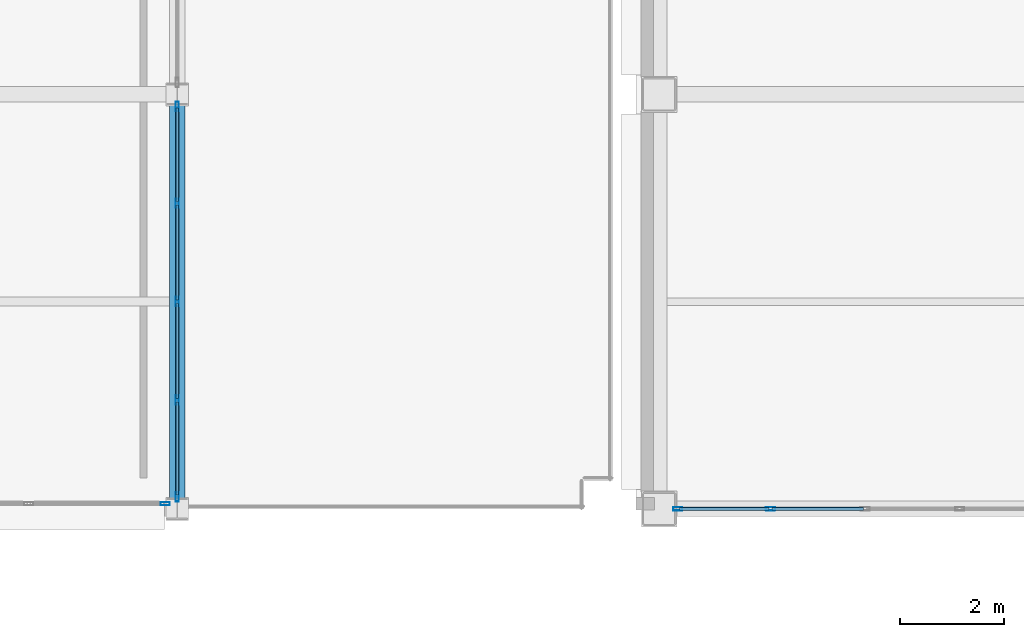
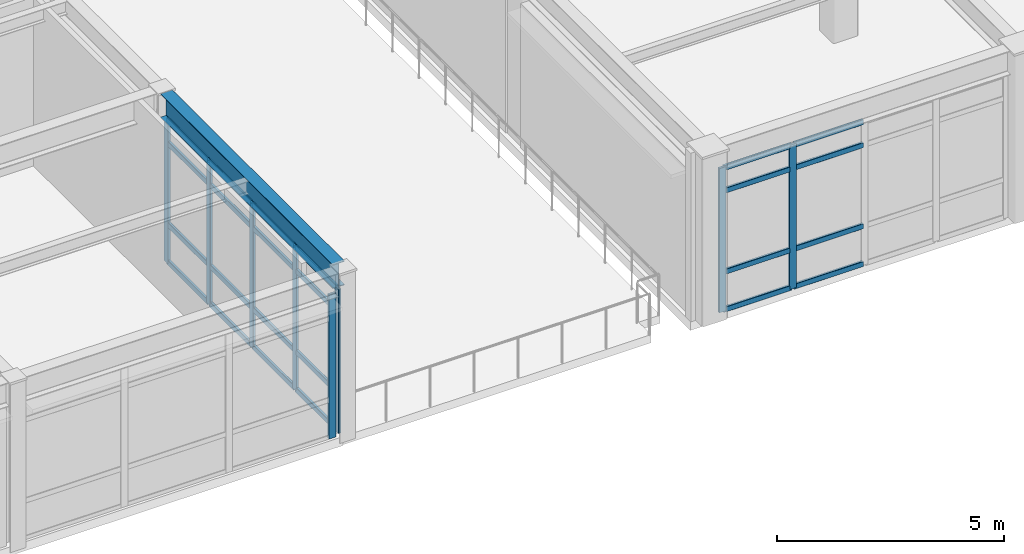
# One storey, part 25 of 93: 32 members, 1 beam, 3 elements without a shape of their own.
"""IFC4 building model written with IfcOpenShell, lengths in metres."""

from ifc_helpers import new_model, si_unit, direction, frame, origin, origin_2d, place, context, subcontext, project, spatial, hollow_rectangle, i_section, extrude, material, layer, layer_set, material_profile, profile_set, type_object, element, aggregate, save


model = new_model("IFC4")

# Units and contexts
model_context = context("Model", 3, precision=1e-05, world=origin(), true_north=direction((0.0, 1.0)))
body_context = subcontext(model_context, "Body", "Model", "MODEL_VIEW")
ifc_project = project(units=[si_unit("LENGTHUNIT", "METRE"), si_unit("AREAUNIT", "SQUARE_METRE"), si_unit("VOLUMEUNIT", "CUBIC_METRE"), si_unit("PLANEANGLEUNIT", "RADIAN"), si_unit("MASSUNIT", "GRAM", prefix="KILO")], contexts=[model_context])

# Site, building, storey
site_placement = place(None, origin())
site = spatial("IfcSite", under=ifc_project, at=site_placement, CompositionType="ELEMENT")
building_placement = place(site_placement, origin())
building = spatial("IfcBuilding", under=site, at=building_placement, Name="Kazehara Bluff Congress Hotel", CompositionType="ELEMENT")
storey_placement = place(building_placement, frame((0.0, 0.0, 15.0)))
storey = spatial("IfcBuildingStorey", under=building, at=storey_placement, Name="L03", CompositionType="ELEMENT", Elevation=15.0)

# Curtain wall, members
ifc_material_1 = material(Name="Anodised aluminium", Category="aluminium")
ifc_layer_1 = layer(ifc_material_1, 0.159912109375)
ifc_layer_set_1 = layer_set([ifc_layer_1], Name="Anodised aluminium")
curtain_wall_type_1 = type_object("IfcCurtainWallType", Name="TP-CW-10", PredefinedType="NOTDEFINED", material=ifc_layer_set_1)
curtain_wall_1_placement = place(storey_placement, origin())
curtain_wall_1 = element("IfcCurtainWall", 1, at=curtain_wall_1_placement, inside=storey, type_object=curtain_wall_type_1, Name="L03 curtain wall CW-10 CW-V4-L03-X10125-1620", PredefinedType="NOTDEFINED")
ifc_material_2 = material(Name="Anodised aluminium", Category="aluminium")
ifc_material_profile_1 = material_profile(ifc_material_2, hollow_rectangle(XDim=0.06494140625, YDim=0.179931640625, WallThickness=0.00390625, InnerFilletRadius=0.00390625, OuterFilletRadius=0.008056640625, at=origin_2d()))
ifc_profile_set_1 = profile_set([ifc_material_profile_1], Name="Anodised aluminium")
member_type_1 = type_object("IfcMemberType", Name="TP-CWM-02", PredefinedType="MULLION", material=ifc_profile_set_1)
member_1_placement = place(storey_placement, frame((101.25, 16.232421875, 0.0), z_axis=(0.0, 0.0, 1.0), x_axis=(-1.0, 0.0, 0.0)))
member_1 = element("IfcMember", 2, at=member_1_placement, type_object=member_type_1, Name="CW-10 mullion 1", PredefinedType="MULLION", context=body_context, shape_type="SweptSolid", body=[
    extrude(hollow_rectangle(XDim=0.06494140625, YDim=0.179931640625, WallThickness=0.00390625, InnerFilletRadius=0.00390625, OuterFilletRadius=0.008056640625, at=origin_2d()), origin(), (0.0, 0.0, 1.0), 3.885009765625),
])
member_2_placement = place(storey_placement, frame((101.25, 18.10009765625, 0.0), z_axis=(0.0, 0.0, 1.0), x_axis=(-1.0, 0.0, 0.0)))
member_2 = element("IfcMember", 3, at=member_2_placement, type_object=member_type_1, Name="CW-10 mullion 2", PredefinedType="MULLION", context=body_context, shape_type="SweptSolid", body=[
    extrude(hollow_rectangle(XDim=0.06494140625, YDim=0.179931640625, WallThickness=0.00390625, InnerFilletRadius=0.00390625, OuterFilletRadius=0.008056640625, at=origin_2d()), origin(), (0.0, 0.0, 1.0), 3.885009765625),
])
member_3_placement = place(storey_placement, frame((101.25, 20.0, 0.0), z_axis=(0.0, 0.0, 1.0), x_axis=(-1.0, 0.0, 0.0)))
member_3 = element("IfcMember", 4, at=member_3_placement, type_object=member_type_1, Name="CW-10 mullion 3", PredefinedType="MULLION", context=body_context, shape_type="SweptSolid", body=[
    extrude(hollow_rectangle(XDim=0.06494140625, YDim=0.179931640625, WallThickness=0.00390625, InnerFilletRadius=0.00390625, OuterFilletRadius=0.008056640625, at=origin_2d()), origin(), (0.0, 0.0, 1.0), 3.885009765625),
])
member_4_placement = place(storey_placement, frame((101.25, 21.89990234375, 0.0), z_axis=(0.0, 0.0, 1.0), x_axis=(-1.0, 0.0, 0.0)))
member_4 = element("IfcMember", 5, at=member_4_placement, type_object=member_type_1, Name="CW-10 mullion 4", PredefinedType="MULLION", context=body_context, shape_type="SweptSolid", body=[
    extrude(hollow_rectangle(XDim=0.06494140625, YDim=0.179931640625, WallThickness=0.00390625, InnerFilletRadius=0.00390625, OuterFilletRadius=0.008056640625, at=origin_2d()), origin(), (0.0, 0.0, 1.0), 3.885009765625),
])
member_5_placement = place(storey_placement, frame((101.25, 23.767578125, 0.0), z_axis=(0.0, 0.0, 1.0), x_axis=(-1.0, 0.0, 0.0)))
member_5 = element("IfcMember", 6, at=member_5_placement, type_object=member_type_1, Name="CW-10 mullion 5", PredefinedType="MULLION", context=body_context, shape_type="SweptSolid", body=[
    extrude(hollow_rectangle(XDim=0.06494140625, YDim=0.179931640625, WallThickness=0.00390625, InnerFilletRadius=0.00390625, OuterFilletRadius=0.008056640625, at=origin_2d()), origin(), (0.0, 0.0, 1.0), 3.885009765625),
])

ifc_material_3 = material(Name="Anodised aluminium", Category="aluminium")
ifc_layer_2 = layer(ifc_material_3, 0.159912109375)
ifc_layer_set_2 = layer_set([ifc_layer_2], Name="Anodised aluminium")
curtain_wall_type_2 = type_object("IfcCurtainWallType", Name="TP-CW-80", PredefinedType="NOTDEFINED", material=ifc_layer_set_2)
curtain_wall_2_placement = place(storey_placement, origin())
curtain_wall_2 = element("IfcCurtainWall", 7, at=curtain_wall_2_placement, inside=storey, type_object=curtain_wall_type_2, Name="L03 curtain wall CW-80 CW-V5-L03-Y1600-11088", PredefinedType="NOTDEFINED")
member_6_placement = place(storey_placement, frame((110.907470703125, 16.0, 0.0), z_axis=(0.0, 0.0, 1.0), x_axis=(0.0, 1.0, 0.0)))
member_6 = element("IfcMember", 8, at=member_6_placement, type_object=member_type_1, Name="CW-80 mullion 1", PredefinedType="MULLION", context=body_context, shape_type="SweptSolid", body=[
    extrude(hollow_rectangle(XDim=0.06494140625, YDim=0.179931640625, WallThickness=0.00390625, InnerFilletRadius=0.00390625, OuterFilletRadius=0.008056640625, at=origin_2d()), origin(), (0.0, 0.0, 1.0), 3.885009765625),
])
member_7_placement = place(storey_placement, frame((112.699951171875, 16.0, 0.0), z_axis=(0.0, 0.0, 1.0), x_axis=(0.0, 1.0, 0.0)))
member_7 = element("IfcMember", 9, at=member_7_placement, type_object=member_type_1, Name="CW-80 mullion 2", PredefinedType="MULLION", context=body_context, shape_type="SweptSolid", body=[
    extrude(hollow_rectangle(XDim=0.06494140625, YDim=0.179931640625, WallThickness=0.00390625, InnerFilletRadius=0.00390625, OuterFilletRadius=0.008056640625, at=origin_2d()), origin(), (0.0, 0.0, 1.0), 3.885009765625),
])

# Curtain wall, member
ifc_material_4 = material(Name="Anodised aluminium", Category="aluminium")
ifc_layer_3 = layer(ifc_material_4, 0.159912109375)
ifc_layer_set_3 = layer_set([ifc_layer_3], Name="Anodised aluminium")
curtain_wall_type_3 = type_object("IfcCurtainWallType", Name="TP-CW-143", PredefinedType="NOTDEFINED", material=ifc_layer_set_3)
curtain_wall_3_placement = place(storey_placement, origin())
curtain_wall_3 = element("IfcCurtainWall", 10, at=curtain_wall_3_placement, inside=storey, type_object=curtain_wall_type_3, Name="L03 curtain wall CW-143 CW-ENC-V4-L03-9705-1610", PredefinedType="NOTDEFINED")
member_8_placement = place(storey_placement, frame((101.017578125, 16.10009765625, 0.0), z_axis=(0.0, 0.0, 1.0), x_axis=(0.0, -1.0, 0.0)))
member_8 = element("IfcMember", 11, at=member_8_placement, type_object=member_type_1, Name="CW-143 mullion 1", PredefinedType="MULLION", context=body_context, shape_type="SweptSolid", body=[
    extrude(hollow_rectangle(XDim=0.06494140625, YDim=0.179931640625, WallThickness=0.00390625, InnerFilletRadius=0.00390625, OuterFilletRadius=0.008056640625, at=origin_2d()), origin(), (0.0, 0.0, 1.0), 3.885009765625),
])
aggregate(curtain_wall_3, [member_8])

# Member
ifc_material_5 = material(Name="Anodised aluminium", Category="aluminium")
ifc_material_profile_2 = material_profile(ifc_material_5, hollow_rectangle(XDim=0.06494140625, YDim=0.139892578125, WallThickness=0.00390625, InnerFilletRadius=0.00390625, OuterFilletRadius=0.008056640625, at=origin_2d()))
ifc_profile_set_2 = profile_set([ifc_material_profile_2], Name="Anodised aluminium")
member_type_2 = type_object("IfcMemberType", Name="TP-CWT-02", PredefinedType="USERDEFINED", material=ifc_profile_set_2)
member_9_placement = place(storey_placement, frame((101.25, 16.264892578125, 0.032470703125), z_axis=(0.0, 1.0, 0.0), x_axis=(-1.0, 0.0, 0.0)))
member_9 = element("IfcMember", 12, at=member_9_placement, type_object=member_type_2, Name="CW-10 transom 1.1", ObjectType="TRANSOM", PredefinedType="USERDEFINED", context=body_context, shape_type="SweptSolid", body=[
    extrude(hollow_rectangle(XDim=0.06494140625, YDim=0.139892578125, WallThickness=0.00390625, InnerFilletRadius=0.00390625, OuterFilletRadius=0.008056640625, at=origin_2d()), origin(), (0.0, 0.0, 1.0), 1.802490234375),
])

member_10_placement = place(storey_placement, frame((101.25, 16.264892578125, 1.050048828125), z_axis=(0.0, 1.0, 0.0), x_axis=(-1.0, 0.0, 0.0)))
member_10 = element("IfcMember", 13, at=member_10_placement, type_object=member_type_2, Name="CW-10 transom 1.2", ObjectType="TRANSOM", PredefinedType="USERDEFINED", context=body_context, shape_type="SweptSolid", body=[
    extrude(hollow_rectangle(XDim=0.06494140625, YDim=0.139892578125, WallThickness=0.00390625, InnerFilletRadius=0.00390625, OuterFilletRadius=0.008056640625, at=origin_2d()), origin(), (0.0, 0.0, 1.0), 1.802490234375),
])

member_11_placement = place(storey_placement, frame((101.25, 16.264892578125, 3.235107421875), z_axis=(0.0, 1.0, 0.0), x_axis=(-1.0, 0.0, 0.0)))
member_11 = element("IfcMember", 14, at=member_11_placement, type_object=member_type_2, Name="CW-10 transom 1.3", ObjectType="TRANSOM", PredefinedType="USERDEFINED", context=body_context, shape_type="SweptSolid", body=[
    extrude(hollow_rectangle(XDim=0.06494140625, YDim=0.139892578125, WallThickness=0.00390625, InnerFilletRadius=0.00390625, OuterFilletRadius=0.008056640625, at=origin_2d()), origin(), (0.0, 0.0, 1.0), 1.802490234375),
])

member_12_placement = place(storey_placement, frame((101.25, 16.264892578125, 3.8525390625), z_axis=(0.0, 1.0, 0.0), x_axis=(-1.0, 0.0, 0.0)))
member_12 = element("IfcMember", 15, at=member_12_placement, type_object=member_type_2, Name="CW-10 transom 1.4", ObjectType="TRANSOM", PredefinedType="USERDEFINED", context=body_context, shape_type="SweptSolid", body=[
    extrude(hollow_rectangle(XDim=0.06494140625, YDim=0.139892578125, WallThickness=0.00390625, InnerFilletRadius=0.00390625, OuterFilletRadius=0.008056640625, at=origin_2d()), origin(), (0.0, 0.0, 1.0), 1.802490234375),
])

member_13_placement = place(storey_placement, frame((101.25, 18.132568359375, 0.032470703125), z_axis=(0.0, 1.0, 0.0), x_axis=(-1.0, 0.0, 0.0)))
member_13 = element("IfcMember", 16, at=member_13_placement, type_object=member_type_2, Name="CW-10 transom 2.1", ObjectType="TRANSOM", PredefinedType="USERDEFINED", context=body_context, shape_type="SweptSolid", body=[
    extrude(hollow_rectangle(XDim=0.06494140625, YDim=0.139892578125, WallThickness=0.00390625, InnerFilletRadius=0.00390625, OuterFilletRadius=0.008056640625, at=origin_2d()), origin(), (0.0, 0.0, 1.0), 1.8349609375),
])

member_14_placement = place(storey_placement, frame((101.25, 18.132568359375, 1.050048828125), z_axis=(0.0, 1.0, 0.0), x_axis=(-1.0, 0.0, 0.0)))
member_14 = element("IfcMember", 17, at=member_14_placement, type_object=member_type_2, Name="CW-10 transom 2.2", ObjectType="TRANSOM", PredefinedType="USERDEFINED", context=body_context, shape_type="SweptSolid", body=[
    extrude(hollow_rectangle(XDim=0.06494140625, YDim=0.139892578125, WallThickness=0.00390625, InnerFilletRadius=0.00390625, OuterFilletRadius=0.008056640625, at=origin_2d()), origin(), (0.0, 0.0, 1.0), 1.8349609375),
])

member_15_placement = place(storey_placement, frame((101.25, 18.132568359375, 3.235107421875), z_axis=(0.0, 1.0, 0.0), x_axis=(-1.0, 0.0, 0.0)))
member_15 = element("IfcMember", 18, at=member_15_placement, type_object=member_type_2, Name="CW-10 transom 2.3", ObjectType="TRANSOM", PredefinedType="USERDEFINED", context=body_context, shape_type="SweptSolid", body=[
    extrude(hollow_rectangle(XDim=0.06494140625, YDim=0.139892578125, WallThickness=0.00390625, InnerFilletRadius=0.00390625, OuterFilletRadius=0.008056640625, at=origin_2d()), origin(), (0.0, 0.0, 1.0), 1.8349609375),
])

member_16_placement = place(storey_placement, frame((101.25, 18.132568359375, 3.8525390625), z_axis=(0.0, 1.0, 0.0), x_axis=(-1.0, 0.0, 0.0)))
member_16 = element("IfcMember", 19, at=member_16_placement, type_object=member_type_2, Name="CW-10 transom 2.4", ObjectType="TRANSOM", PredefinedType="USERDEFINED", context=body_context, shape_type="SweptSolid", body=[
    extrude(hollow_rectangle(XDim=0.06494140625, YDim=0.139892578125, WallThickness=0.00390625, InnerFilletRadius=0.00390625, OuterFilletRadius=0.008056640625, at=origin_2d()), origin(), (0.0, 0.0, 1.0), 1.8349609375),
])

member_17_placement = place(storey_placement, frame((101.25, 20.032470703125, 0.032470703125), z_axis=(0.0, 1.0, 0.0), x_axis=(-1.0, 0.0, 0.0)))
member_17 = element("IfcMember", 20, at=member_17_placement, type_object=member_type_2, Name="CW-10 transom 3.1", ObjectType="TRANSOM", PredefinedType="USERDEFINED", context=body_context, shape_type="SweptSolid", body=[
    extrude(hollow_rectangle(XDim=0.06494140625, YDim=0.139892578125, WallThickness=0.00390625, InnerFilletRadius=0.00390625, OuterFilletRadius=0.008056640625, at=origin_2d()), origin(), (0.0, 0.0, 1.0), 1.8349609375),
])

member_18_placement = place(storey_placement, frame((101.25, 20.032470703125, 1.050048828125), z_axis=(0.0, 1.0, 0.0), x_axis=(-1.0, 0.0, 0.0)))
member_18 = element("IfcMember", 21, at=member_18_placement, type_object=member_type_2, Name="CW-10 transom 3.2", ObjectType="TRANSOM", PredefinedType="USERDEFINED", context=body_context, shape_type="SweptSolid", body=[
    extrude(hollow_rectangle(XDim=0.06494140625, YDim=0.139892578125, WallThickness=0.00390625, InnerFilletRadius=0.00390625, OuterFilletRadius=0.008056640625, at=origin_2d()), origin(), (0.0, 0.0, 1.0), 1.8349609375),
])

member_19_placement = place(storey_placement, frame((101.25, 20.032470703125, 3.235107421875), z_axis=(0.0, 1.0, 0.0), x_axis=(-1.0, 0.0, 0.0)))
member_19 = element("IfcMember", 22, at=member_19_placement, type_object=member_type_2, Name="CW-10 transom 3.3", ObjectType="TRANSOM", PredefinedType="USERDEFINED", context=body_context, shape_type="SweptSolid", body=[
    extrude(hollow_rectangle(XDim=0.06494140625, YDim=0.139892578125, WallThickness=0.00390625, InnerFilletRadius=0.00390625, OuterFilletRadius=0.008056640625, at=origin_2d()), origin(), (0.0, 0.0, 1.0), 1.8349609375),
])

member_20_placement = place(storey_placement, frame((101.25, 20.032470703125, 3.8525390625), z_axis=(0.0, 1.0, 0.0), x_axis=(-1.0, 0.0, 0.0)))
member_20 = element("IfcMember", 23, at=member_20_placement, type_object=member_type_2, Name="CW-10 transom 3.4", ObjectType="TRANSOM", PredefinedType="USERDEFINED", context=body_context, shape_type="SweptSolid", body=[
    extrude(hollow_rectangle(XDim=0.06494140625, YDim=0.139892578125, WallThickness=0.00390625, InnerFilletRadius=0.00390625, OuterFilletRadius=0.008056640625, at=origin_2d()), origin(), (0.0, 0.0, 1.0), 1.8349609375),
])

member_21_placement = place(storey_placement, frame((101.25, 21.9326171875, 0.032470703125), z_axis=(0.0, 1.0, 0.0), x_axis=(-1.0, 0.0, 0.0)))
member_21 = element("IfcMember", 24, at=member_21_placement, type_object=member_type_2, Name="CW-10 transom 4.1", ObjectType="TRANSOM", PredefinedType="USERDEFINED", context=body_context, shape_type="SweptSolid", body=[
    extrude(hollow_rectangle(XDim=0.06494140625, YDim=0.139892578125, WallThickness=0.00390625, InnerFilletRadius=0.00390625, OuterFilletRadius=0.008056640625, at=origin_2d()), origin(), (0.0, 0.0, 1.0), 1.802490234375),
])

member_22_placement = place(storey_placement, frame((101.25, 21.9326171875, 1.050048828125), z_axis=(0.0, 1.0, 0.0), x_axis=(-1.0, 0.0, 0.0)))
member_22 = element("IfcMember", 25, at=member_22_placement, type_object=member_type_2, Name="CW-10 transom 4.2", ObjectType="TRANSOM", PredefinedType="USERDEFINED", context=body_context, shape_type="SweptSolid", body=[
    extrude(hollow_rectangle(XDim=0.06494140625, YDim=0.139892578125, WallThickness=0.00390625, InnerFilletRadius=0.00390625, OuterFilletRadius=0.008056640625, at=origin_2d()), origin(), (0.0, 0.0, 1.0), 1.802490234375),
])

member_23_placement = place(storey_placement, frame((101.25, 21.9326171875, 3.235107421875), z_axis=(0.0, 1.0, 0.0), x_axis=(-1.0, 0.0, 0.0)))
member_23 = element("IfcMember", 26, at=member_23_placement, type_object=member_type_2, Name="CW-10 transom 4.3", ObjectType="TRANSOM", PredefinedType="USERDEFINED", context=body_context, shape_type="SweptSolid", body=[
    extrude(hollow_rectangle(XDim=0.06494140625, YDim=0.139892578125, WallThickness=0.00390625, InnerFilletRadius=0.00390625, OuterFilletRadius=0.008056640625, at=origin_2d()), origin(), (0.0, 0.0, 1.0), 1.802490234375),
])

member_24_placement = place(storey_placement, frame((101.25, 21.9326171875, 3.8525390625), z_axis=(0.0, 1.0, 0.0), x_axis=(-1.0, 0.0, 0.0)))
member_24 = element("IfcMember", 27, at=member_24_placement, type_object=member_type_2, Name="CW-10 transom 4.4", ObjectType="TRANSOM", PredefinedType="USERDEFINED", context=body_context, shape_type="SweptSolid", body=[
    extrude(hollow_rectangle(XDim=0.06494140625, YDim=0.139892578125, WallThickness=0.00390625, InnerFilletRadius=0.00390625, OuterFilletRadius=0.008056640625, at=origin_2d()), origin(), (0.0, 0.0, 1.0), 1.802490234375),
])

aggregate(curtain_wall_1, [member_1, member_2, member_3, member_4, member_5, member_9, member_10, member_11, member_12, member_13, member_14, member_15, member_16, member_17, member_18, member_19, member_20, member_21, member_22, member_23, member_24])

member_25_placement = place(storey_placement, frame((110.93994140625, 16.0, 0.032470703125), z_axis=(1.0, 0.0, 0.0), x_axis=(0.0, 1.0, 0.0)))
member_25 = element("IfcMember", 28, at=member_25_placement, type_object=member_type_2, Name="CW-80 transom 1.1", ObjectType="TRANSOM", PredefinedType="USERDEFINED", context=body_context, shape_type="SweptSolid", body=[
    extrude(hollow_rectangle(XDim=0.06494140625, YDim=0.139892578125, WallThickness=0.00390625, InnerFilletRadius=0.00390625, OuterFilletRadius=0.008056640625, at=origin_2d()), origin(), (0.0, 0.0, 1.0), 1.7275390625),
])

member_26_placement = place(storey_placement, frame((110.93994140625, 16.0, 1.050048828125), z_axis=(1.0, 0.0, 0.0), x_axis=(0.0, 1.0, 0.0)))
member_26 = element("IfcMember", 29, at=member_26_placement, type_object=member_type_2, Name="CW-80 transom 1.2", ObjectType="TRANSOM", PredefinedType="USERDEFINED", context=body_context, shape_type="SweptSolid", body=[
    extrude(hollow_rectangle(XDim=0.06494140625, YDim=0.139892578125, WallThickness=0.00390625, InnerFilletRadius=0.00390625, OuterFilletRadius=0.008056640625, at=origin_2d()), origin(), (0.0, 0.0, 1.0), 1.7275390625),
])

member_27_placement = place(storey_placement, frame((110.93994140625, 16.0, 3.235107421875), z_axis=(1.0, 0.0, 0.0), x_axis=(0.0, 1.0, 0.0)))
member_27 = element("IfcMember", 30, at=member_27_placement, type_object=member_type_2, Name="CW-80 transom 1.3", ObjectType="TRANSOM", PredefinedType="USERDEFINED", context=body_context, shape_type="SweptSolid", body=[
    extrude(hollow_rectangle(XDim=0.06494140625, YDim=0.139892578125, WallThickness=0.00390625, InnerFilletRadius=0.00390625, OuterFilletRadius=0.008056640625, at=origin_2d()), origin(), (0.0, 0.0, 1.0), 1.7275390625),
])

member_28_placement = place(storey_placement, frame((110.93994140625, 16.0, 3.8525390625), z_axis=(1.0, 0.0, 0.0), x_axis=(0.0, 1.0, 0.0)))
member_28 = element("IfcMember", 31, at=member_28_placement, type_object=member_type_2, Name="CW-80 transom 1.4", ObjectType="TRANSOM", PredefinedType="USERDEFINED", context=body_context, shape_type="SweptSolid", body=[
    extrude(hollow_rectangle(XDim=0.06494140625, YDim=0.139892578125, WallThickness=0.00390625, InnerFilletRadius=0.00390625, OuterFilletRadius=0.008056640625, at=origin_2d()), origin(), (0.0, 0.0, 1.0), 1.7275390625),
])

member_29_placement = place(storey_placement, frame((112.732421875, 16.0, 0.032470703125), z_axis=(1.0, 0.0, 0.0), x_axis=(0.0, 1.0, 0.0)))
member_29 = element("IfcMember", 32, at=member_29_placement, type_object=member_type_2, Name="CW-80 transom 2.1", ObjectType="TRANSOM", PredefinedType="USERDEFINED", context=body_context, shape_type="SweptSolid", body=[
    extrude(hollow_rectangle(XDim=0.06494140625, YDim=0.139892578125, WallThickness=0.00390625, InnerFilletRadius=0.00390625, OuterFilletRadius=0.008056640625, at=origin_2d()), origin(), (0.0, 0.0, 1.0), 1.760009765625),
])

member_30_placement = place(storey_placement, frame((112.732421875, 16.0, 1.050048828125), z_axis=(1.0, 0.0, 0.0), x_axis=(0.0, 1.0, 0.0)))
member_30 = element("IfcMember", 33, at=member_30_placement, type_object=member_type_2, Name="CW-80 transom 2.2", ObjectType="TRANSOM", PredefinedType="USERDEFINED", context=body_context, shape_type="SweptSolid", body=[
    extrude(hollow_rectangle(XDim=0.06494140625, YDim=0.139892578125, WallThickness=0.00390625, InnerFilletRadius=0.00390625, OuterFilletRadius=0.008056640625, at=origin_2d()), origin(), (0.0, 0.0, 1.0), 1.760009765625),
])

member_31_placement = place(storey_placement, frame((112.732421875, 16.0, 3.235107421875), z_axis=(1.0, 0.0, 0.0), x_axis=(0.0, 1.0, 0.0)))
member_31 = element("IfcMember", 34, at=member_31_placement, type_object=member_type_2, Name="CW-80 transom 2.3", ObjectType="TRANSOM", PredefinedType="USERDEFINED", context=body_context, shape_type="SweptSolid", body=[
    extrude(hollow_rectangle(XDim=0.06494140625, YDim=0.139892578125, WallThickness=0.00390625, InnerFilletRadius=0.00390625, OuterFilletRadius=0.008056640625, at=origin_2d()), origin(), (0.0, 0.0, 1.0), 1.760009765625),
])

member_32_placement = place(storey_placement, frame((112.732421875, 16.0, 3.8525390625), z_axis=(1.0, 0.0, 0.0), x_axis=(0.0, 1.0, 0.0)))
member_32 = element("IfcMember", 35, at=member_32_placement, type_object=member_type_2, Name="CW-80 transom 2.4", ObjectType="TRANSOM", PredefinedType="USERDEFINED", context=body_context, shape_type="SweptSolid", body=[
    extrude(hollow_rectangle(XDim=0.06494140625, YDim=0.139892578125, WallThickness=0.00390625, InnerFilletRadius=0.00390625, OuterFilletRadius=0.008056640625, at=origin_2d()), origin(), (0.0, 0.0, 1.0), 1.760009765625),
])

aggregate(curtain_wall_2, [member_6, member_7, member_25, member_26, member_27, member_28, member_29, member_30, member_31, member_32])

# Beam
ifc_material_6 = material(Name="Steel SN490B", Category="steel")
ifc_material_profile_3 = material_profile(ifc_material_6, i_section(OverallWidth=0.300048828125, OverallDepth=0.64990234375, WebThickness=0.011962890625, FlangeThickness=0.02001953125, FilletRadius=0.012939453125, at=origin_2d()))
ifc_profile_set_3 = profile_set([ifc_material_profile_3], Name="Steel SN490B")
beam_type = type_object("IfcBeamType", Name="TP-G-03", PredefinedType="BEAM", material=ifc_profile_set_3)
beam_placement = place(storey_placement, frame((101.25, 16.199951171875, 4.235107421875), z_axis=(0.0, 1.0, 0.0), x_axis=(-1.0, 0.0, 0.0)))
element("IfcBeam", 36, at=beam_placement, inside=storey, type_object=beam_type, Name="L03 girder G-03 66", PredefinedType="BEAM", context=body_context, shape_type="SweptSolid", body=[
    extrude(i_section(OverallWidth=0.300048828125, OverallDepth=0.64990234375, WebThickness=0.011962890625, FlangeThickness=0.02001953125, FilletRadius=0.012939453125, at=origin_2d()), origin(), (0.0, 0.0, 1.0), 7.60009765625),
])

save(model, "model.ifc")
